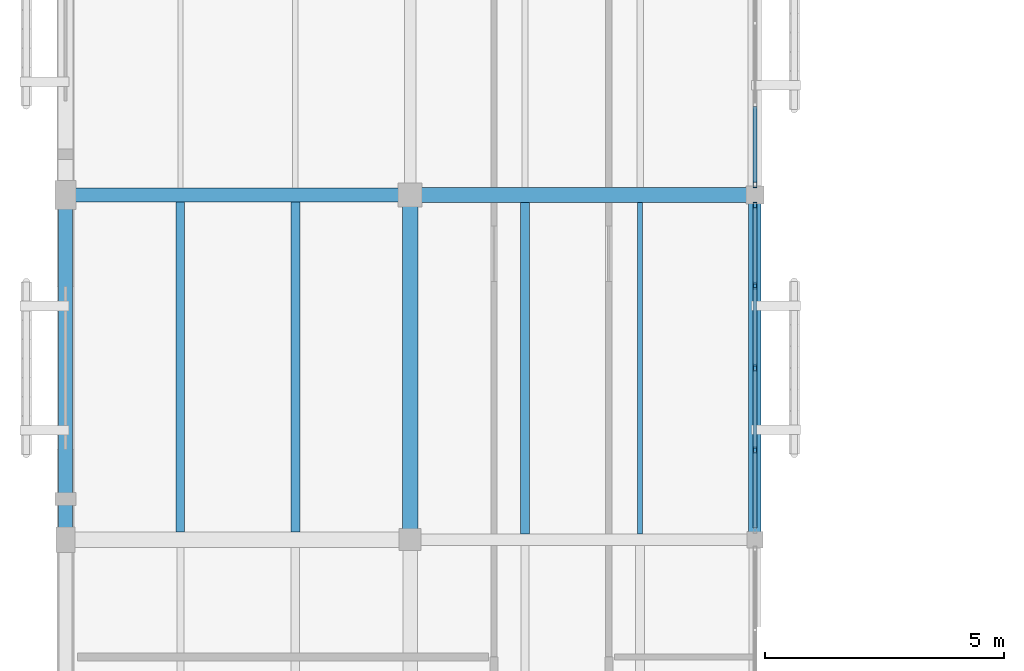
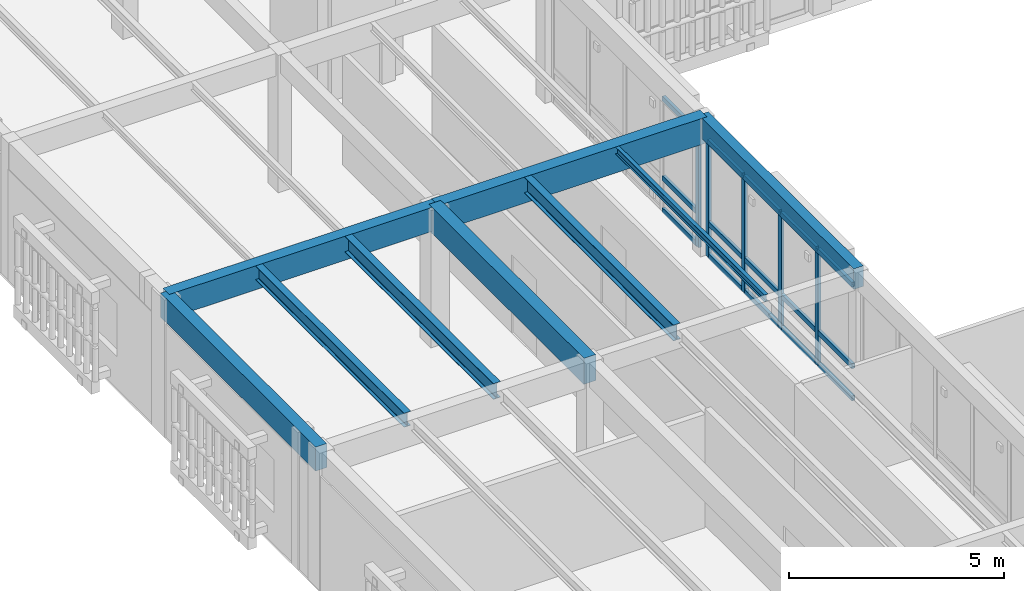
# One storey, part 31 of 217: 20 members, 9 beams, 2 elements without a shape of their own.
"""IFC4 building model written with IfcOpenShell, lengths in metres."""

from ifc_helpers import new_model, si_unit, direction, frame, origin, origin_2d, place, context, subcontext, project, spatial, rectangle, hollow_rectangle, i_section, extrude, material, layer, layer_set, material_profile, profile_set, type_object, element, aggregate, save


model = new_model("IFC4")

# Units and contexts
model_context = context("Model", 3, precision=1e-05, world=origin(), true_north=direction((0.0, 1.0)))
body_context = subcontext(model_context, "Body", "Model", "MODEL_VIEW")
ifc_project = project(units=[si_unit("LENGTHUNIT", "METRE"), si_unit("AREAUNIT", "SQUARE_METRE"), si_unit("VOLUMEUNIT", "CUBIC_METRE"), si_unit("PLANEANGLEUNIT", "RADIAN"), si_unit("MASSUNIT", "GRAM", prefix="KILO")], contexts=[model_context])

# Site, building, storey
site_placement = place(None, origin())
site = spatial("IfcSite", under=ifc_project, at=site_placement, CompositionType="ELEMENT")
building_placement = place(site_placement, origin())
building = spatial("IfcBuilding", under=site, at=building_placement, Name="Mazaris Harbour Polytechnic", CompositionType="ELEMENT")
storey_placement = place(building_placement, frame((0.0, 0.0, 9.60009765625)))
storey = spatial("IfcBuildingStorey", under=building, at=storey_placement, Name="L02", CompositionType="ELEMENT", Elevation=9.60009765625)

# Curtain wall, members
ifc_material_1 = material(Name="Anodised Bronze Aluminium and Low-E Glass", Category="aluminium")
ifc_layer = layer(ifc_material_1, 0.159912109375, Name="Anodised Bronze Aluminium and Low-E Glass")
ifc_layer_set = layer_set([ifc_layer], Name="Anodised Bronze Aluminium and Low-E Glass")
curtain_wall_type = type_object("IfcCurtainWallType", Name="Cloister Court Curtain Wall", PredefinedType="NOTDEFINED", material=ifc_layer_set)
curtain_wall_1_placement = place(storey_placement, origin())
curtain_wall_1 = element("IfcCurtainWall", 1, at=curtain_wall_1_placement, inside=storey, type_object=curtain_wall_type, Name="V4 L02 Curtain Wall 139", PredefinedType="NOTDEFINED")
ifc_material_2 = material(Name="Anodised Bronze Steel S355", Category="steel")
ifc_material_profile_1 = material_profile(ifc_material_2, hollow_rectangle(XDim=0.080078125, YDim=0.139892578125, WallThickness=0.00634765625, at=origin_2d()), Name="RHS 80x140x6.3")
ifc_profile_set_1 = profile_set([ifc_material_profile_1], Name="Anodised Bronze Steel S355")
member_type_1 = type_object("IfcMemberType", Name="Curtain Mullion RHS80x140", PredefinedType="MULLION", material=ifc_profile_set_1)
member_1_placement = place(storey_placement, frame((14.39990234375, 55.8759765625, 0.0), z_axis=(0.0, 0.0, 1.0), x_axis=(-1.0, 0.0, 0.0)))
member_1 = element("IfcMember", 2, at=member_1_placement, type_object=member_type_1, Name="CW-02 mullion 2", PredefinedType="MULLION", context=body_context, shape_type="SweptSolid", body=[
    extrude(hollow_rectangle(XDim=0.080078125, YDim=0.139892578125, WallThickness=0.00634765625, at=origin_2d()), origin(), (0.0, 0.0, 1.0), 3.2998046875),
])
member_2_placement = place(storey_placement, frame((14.39990234375, 57.590087890625, 0.0), z_axis=(0.0, 0.0, 1.0), x_axis=(-1.0, 0.0, 0.0)))
member_2 = element("IfcMember", 3, at=member_2_placement, type_object=member_type_1, Name="CW-02 mullion 3", PredefinedType="MULLION", context=body_context, shape_type="SweptSolid", body=[
    extrude(hollow_rectangle(XDim=0.080078125, YDim=0.139892578125, WallThickness=0.00634765625, at=origin_2d()), origin(), (0.0, 0.0, 1.0), 3.2998046875),
])
member_3_placement = place(storey_placement, frame((14.39990234375, 59.303955078125, 0.0), z_axis=(0.0, 0.0, 1.0), x_axis=(-1.0, 0.0, 0.0)))
member_3 = element("IfcMember", 4, at=member_3_placement, type_object=member_type_1, Name="CW-02 mullion 4", PredefinedType="MULLION", context=body_context, shape_type="SweptSolid", body=[
    extrude(hollow_rectangle(XDim=0.080078125, YDim=0.139892578125, WallThickness=0.00634765625, at=origin_2d()), origin(), (0.0, 0.0, 1.0), 3.2998046875),
])
member_4_placement = place(storey_placement, frame((14.39990234375, 60.97802734375, 0.0), z_axis=(0.0, 0.0, 1.0), x_axis=(-1.0, 0.0, 0.0)))
member_4 = element("IfcMember", 5, at=member_4_placement, type_object=member_type_1, Name="CW-02 mullion 5", PredefinedType="MULLION", context=body_context, shape_type="SweptSolid", body=[
    extrude(hollow_rectangle(XDim=0.080078125, YDim=0.139892578125, WallThickness=0.00634765625, at=origin_2d()), origin(), (0.0, 0.0, 1.0), 3.2998046875),
])

# Curtain wall, member
curtain_wall_2_placement = place(storey_placement, origin())
curtain_wall_2 = element("IfcCurtainWall", 6, at=curtain_wall_2_placement, inside=storey, type_object=curtain_wall_type, Name="V4 L02 Curtain Wall 140", PredefinedType="NOTDEFINED")
member_5_placement = place(storey_placement, frame((14.39990234375, 61.422119140625, 0.0), z_axis=(0.0, 0.0, 1.0), x_axis=(-1.0, 0.0, 0.0)))
member_5 = element("IfcMember", 7, at=member_5_placement, type_object=member_type_1, Name="CW-02 mullion 1", PredefinedType="MULLION", context=body_context, shape_type="SweptSolid", body=[
    extrude(hollow_rectangle(XDim=0.080078125, YDim=0.139892578125, WallThickness=0.00634765625, at=origin_2d()), origin(), (0.0, 0.0, 1.0), 3.239990234375),
])

# Member
ifc_material_3 = material(Name="Anodised Bronze Steel S355", Category="steel")
ifc_material_profile_2 = material_profile(ifc_material_3, hollow_rectangle(XDim=0.080078125, YDim=0.139892578125, WallThickness=0.00634765625, at=origin_2d()), Name="RHS 80x140x6.3")
ifc_profile_set_2 = profile_set([ifc_material_profile_2], Name="Anodised Bronze Steel S355")
member_type_2 = type_object("IfcMemberType", Name="Curtain Transom RHS80x140", PredefinedType="USERDEFINED", material=ifc_profile_set_2)
member_6_placement = place(storey_placement, frame((14.39990234375, 54.241943359375, 0.039794921875), z_axis=(0.0, 1.0, 0.0), x_axis=(-1.0, 0.0, 0.0)))
member_6 = element("IfcMember", 8, at=member_6_placement, type_object=member_type_2, Name="CW-02 transom 1.1", ObjectType="TRANSOM", PredefinedType="USERDEFINED", context=body_context, shape_type="SweptSolid", body=[
    extrude(hollow_rectangle(XDim=0.080078125, YDim=0.139892578125, WallThickness=0.00634765625, at=origin_2d()), origin(), (0.0, 0.0, 1.0), 1.593994140625),
])

member_7_placement = place(storey_placement, frame((14.39990234375, 54.241943359375, 0.949951171875), z_axis=(0.0, 1.0, 0.0), x_axis=(-1.0, 0.0, 0.0)))
member_7 = element("IfcMember", 9, at=member_7_placement, type_object=member_type_2, Name="CW-02 transom 1.2", ObjectType="TRANSOM", PredefinedType="USERDEFINED", context=body_context, shape_type="SweptSolid", body=[
    extrude(hollow_rectangle(XDim=0.080078125, YDim=0.139892578125, WallThickness=0.00634765625, at=origin_2d()), origin(), (0.0, 0.0, 1.0), 1.593994140625),
])

member_8_placement = place(storey_placement, frame((14.39990234375, 54.241943359375, 3.260009765625), z_axis=(0.0, 1.0, 0.0), x_axis=(-1.0, 0.0, 0.0)))
member_8 = element("IfcMember", 10, at=member_8_placement, type_object=member_type_2, Name="CW-02 transom 1.3", ObjectType="TRANSOM", PredefinedType="USERDEFINED", context=body_context, shape_type="SweptSolid", body=[
    extrude(hollow_rectangle(XDim=0.080078125, YDim=0.139892578125, WallThickness=0.00634765625, at=origin_2d()), origin(), (0.0, 0.0, 1.0), 1.593994140625),
])

member_9_placement = place(storey_placement, frame((14.39990234375, 55.916015625, 0.039794921875), z_axis=(0.0, 1.0, 0.0), x_axis=(-1.0, 0.0, 0.0)))
member_9 = element("IfcMember", 11, at=member_9_placement, type_object=member_type_2, Name="CW-02 transom 2.1", ObjectType="TRANSOM", PredefinedType="USERDEFINED", context=body_context, shape_type="SweptSolid", body=[
    extrude(hollow_rectangle(XDim=0.080078125, YDim=0.139892578125, WallThickness=0.00634765625, at=origin_2d()), origin(), (0.0, 0.0, 1.0), 1.634033203125),
])

member_10_placement = place(storey_placement, frame((14.39990234375, 55.916015625, 0.949951171875), z_axis=(0.0, 1.0, 0.0), x_axis=(-1.0, 0.0, 0.0)))
member_10 = element("IfcMember", 12, at=member_10_placement, type_object=member_type_2, Name="CW-02 transom 2.2", ObjectType="TRANSOM", PredefinedType="USERDEFINED", context=body_context, shape_type="SweptSolid", body=[
    extrude(hollow_rectangle(XDim=0.080078125, YDim=0.139892578125, WallThickness=0.00634765625, at=origin_2d()), origin(), (0.0, 0.0, 1.0), 1.634033203125),
])

member_11_placement = place(storey_placement, frame((14.39990234375, 55.916015625, 3.260009765625), z_axis=(0.0, 1.0, 0.0), x_axis=(-1.0, 0.0, 0.0)))
member_11 = element("IfcMember", 13, at=member_11_placement, type_object=member_type_2, Name="CW-02 transom 2.3", ObjectType="TRANSOM", PredefinedType="USERDEFINED", context=body_context, shape_type="SweptSolid", body=[
    extrude(hollow_rectangle(XDim=0.080078125, YDim=0.139892578125, WallThickness=0.00634765625, at=origin_2d()), origin(), (0.0, 0.0, 1.0), 1.634033203125),
])

member_12_placement = place(storey_placement, frame((14.39990234375, 57.6298828125, 0.039794921875), z_axis=(0.0, 1.0, 0.0), x_axis=(-1.0, 0.0, 0.0)))
member_12 = element("IfcMember", 14, at=member_12_placement, type_object=member_type_2, Name="CW-02 transom 3.1", ObjectType="TRANSOM", PredefinedType="USERDEFINED", context=body_context, shape_type="SweptSolid", body=[
    extrude(hollow_rectangle(XDim=0.080078125, YDim=0.139892578125, WallThickness=0.00634765625, at=origin_2d()), origin(), (0.0, 0.0, 1.0), 1.634033203125),
])

member_13_placement = place(storey_placement, frame((14.39990234375, 57.6298828125, 0.949951171875), z_axis=(0.0, 1.0, 0.0), x_axis=(-1.0, 0.0, 0.0)))
member_13 = element("IfcMember", 15, at=member_13_placement, type_object=member_type_2, Name="CW-02 transom 3.2", ObjectType="TRANSOM", PredefinedType="USERDEFINED", context=body_context, shape_type="SweptSolid", body=[
    extrude(hollow_rectangle(XDim=0.080078125, YDim=0.139892578125, WallThickness=0.00634765625, at=origin_2d()), origin(), (0.0, 0.0, 1.0), 1.634033203125),
])

member_14_placement = place(storey_placement, frame((14.39990234375, 57.6298828125, 3.260009765625), z_axis=(0.0, 1.0, 0.0), x_axis=(-1.0, 0.0, 0.0)))
member_14 = element("IfcMember", 16, at=member_14_placement, type_object=member_type_2, Name="CW-02 transom 3.3", ObjectType="TRANSOM", PredefinedType="USERDEFINED", context=body_context, shape_type="SweptSolid", body=[
    extrude(hollow_rectangle(XDim=0.080078125, YDim=0.139892578125, WallThickness=0.00634765625, at=origin_2d()), origin(), (0.0, 0.0, 1.0), 1.634033203125),
])

member_15_placement = place(storey_placement, frame((14.39990234375, 59.343994140625, 0.039794921875), z_axis=(0.0, 1.0, 0.0), x_axis=(-1.0, 0.0, 0.0)))
member_15 = element("IfcMember", 17, at=member_15_placement, type_object=member_type_2, Name="CW-02 transom 4.1", ObjectType="TRANSOM", PredefinedType="USERDEFINED", context=body_context, shape_type="SweptSolid", body=[
    extrude(hollow_rectangle(XDim=0.080078125, YDim=0.139892578125, WallThickness=0.00634765625, at=origin_2d()), origin(), (0.0, 0.0, 1.0), 1.593994140625),
])

member_16_placement = place(storey_placement, frame((14.39990234375, 59.343994140625, 0.949951171875), z_axis=(0.0, 1.0, 0.0), x_axis=(-1.0, 0.0, 0.0)))
member_16 = element("IfcMember", 18, at=member_16_placement, type_object=member_type_2, Name="CW-02 transom 4.2", ObjectType="TRANSOM", PredefinedType="USERDEFINED", context=body_context, shape_type="SweptSolid", body=[
    extrude(hollow_rectangle(XDim=0.080078125, YDim=0.139892578125, WallThickness=0.00634765625, at=origin_2d()), origin(), (0.0, 0.0, 1.0), 1.593994140625),
])

member_17_placement = place(storey_placement, frame((14.39990234375, 59.343994140625, 3.260009765625), z_axis=(0.0, 1.0, 0.0), x_axis=(-1.0, 0.0, 0.0)))
member_17 = element("IfcMember", 19, at=member_17_placement, type_object=member_type_2, Name="CW-02 transom 4.3", ObjectType="TRANSOM", PredefinedType="USERDEFINED", context=body_context, shape_type="SweptSolid", body=[
    extrude(hollow_rectangle(XDim=0.080078125, YDim=0.139892578125, WallThickness=0.00634765625, at=origin_2d()), origin(), (0.0, 0.0, 1.0), 1.593994140625),
])

aggregate(curtain_wall_1, [member_1, member_2, member_3, member_4, member_6, member_7, member_8, member_9, member_10, member_11, member_12, member_13, member_14, member_15, member_16, member_17])

member_18_placement = place(storey_placement, frame((14.39990234375, 61.4619140625, 0.039794921875), z_axis=(0.0, 1.0, 0.0), x_axis=(-1.0, 0.0, 0.0)))
member_18 = element("IfcMember", 20, at=member_18_placement, type_object=member_type_2, Name="CW-02 transom 1.1", ObjectType="TRANSOM", PredefinedType="USERDEFINED", context=body_context, shape_type="SweptSolid", body=[
    extrude(hollow_rectangle(XDim=0.080078125, YDim=0.139892578125, WallThickness=0.00634765625, at=origin_2d()), origin(), (0.0, 0.0, 1.0), 1.583984375),
])

member_19_placement = place(storey_placement, frame((14.39990234375, 61.4619140625, 0.949951171875), z_axis=(0.0, 1.0, 0.0), x_axis=(-1.0, 0.0, 0.0)))
member_19 = element("IfcMember", 21, at=member_19_placement, type_object=member_type_2, Name="CW-02 transom 1.2", ObjectType="TRANSOM", PredefinedType="USERDEFINED", context=body_context, shape_type="SweptSolid", body=[
    extrude(hollow_rectangle(XDim=0.080078125, YDim=0.139892578125, WallThickness=0.00634765625, at=origin_2d()), origin(), (0.0, 0.0, 1.0), 1.583984375),
])

member_20_placement = place(storey_placement, frame((14.39990234375, 61.4619140625, 3.199951171875), z_axis=(0.0, 1.0, 0.0), x_axis=(-1.0, 0.0, 0.0)))
member_20 = element("IfcMember", 22, at=member_20_placement, type_object=member_type_2, Name="CW-02 transom 1.3", ObjectType="TRANSOM", PredefinedType="USERDEFINED", context=body_context, shape_type="SweptSolid", body=[
    extrude(hollow_rectangle(XDim=0.080078125, YDim=0.139892578125, WallThickness=0.00634765625, at=origin_2d()), origin(), (0.0, 0.0, 1.0), 1.583984375),
])

aggregate(curtain_wall_2, [member_5, member_18, member_19, member_20])

# Beams
ifc_material_4 = material(Name="Glulam GL32h", Category="wood")
ifc_material_profile_3 = material_profile(ifc_material_4, rectangle(XDim=0.260009765625, YDim=0.580078125, at=origin_2d()), Name="RECT260x580")
ifc_profile_set_3 = profile_set([ifc_material_profile_3], Name="Glulam GL32h")
beam_type_1 = type_object("IfcBeamType", Name="Glulam Girder 260x580", PredefinedType="BEAM", material=ifc_profile_set_3)
beam_1_placement = place(storey_placement, frame((14.39990234375, 54.0, 3.599853515625), z_axis=(0.0, 1.0, 0.0), x_axis=(-1.0, 0.0, 0.0)))
element("IfcBeam", 23, at=beam_1_placement, inside=storey, type_object=beam_type_1, Name="V4 L02 Tie Girder 1996", PredefinedType="BEAM", context=body_context, shape_type="SweptSolid", body=[
    extrude(rectangle(XDim=0.260009765625, YDim=0.580078125, at=origin_2d()), origin(), (0.0, 0.0, 1.0), 7.199951171875),
])
ifc_material_5 = material(Name="Glulam GL32h", Category="wood")
ifc_material_profile_4 = material_profile(ifc_material_5, rectangle(XDim=0.300048828125, YDim=0.679931640625, at=origin_2d()), Name="RECT300x680")
ifc_profile_set_4 = profile_set([ifc_material_profile_4], Name="Glulam GL32h")
beam_type_2 = type_object("IfcBeamType", Name="Glulam Girder 300x680", PredefinedType="BEAM", material=ifc_profile_set_4)
beam_2_placement = place(storey_placement, frame((0.0, 61.199951171875, 3.5498046875), z_axis=(1.0, 0.0, 0.0), x_axis=(0.0, 1.0, 0.0)))
element("IfcBeam", 24, at=beam_2_placement, inside=storey, type_object=beam_type_2, Name="V4 L02 Girder 1933", PredefinedType="BEAM", context=body_context, shape_type="SweptSolid", body=[
    extrude(rectangle(XDim=0.300048828125, YDim=0.679931640625, at=origin_2d()), origin(), (0.0, 0.0, 1.0), 7.199951171875),
])
ifc_material_6 = material(Name="Glulam GL32h", Category="wood")
ifc_material_profile_5 = material_profile(ifc_material_6, rectangle(XDim=0.300048828125, YDim=0.679931640625, at=origin_2d()), Name="RECT300x680")
ifc_profile_set_5 = profile_set([ifc_material_profile_5], Name="Glulam GL32h")
beam_type_3 = type_object("IfcBeamType", Name="Glulam Girder 300x680 Exterior", PredefinedType="BEAM", material=ifc_profile_set_5)
beam_3_placement = place(storey_placement, frame((0.0, 54.0, 3.5498046875), z_axis=(0.0, 1.0, 0.0), x_axis=(-1.0, 0.0, 0.0)))
element("IfcBeam", 25, at=beam_3_placement, inside=storey, type_object=beam_type_3, Name="V4 L02 Tie Girder 1973", PredefinedType="BEAM", context=body_context, shape_type="SweptSolid", body=[
    extrude(rectangle(XDim=0.300048828125, YDim=0.679931640625, at=origin_2d()), origin(), (0.0, 0.0, 1.0), 7.199951171875),
])
ifc_material_7 = material(Name="Glulam GL32h", Category="wood")
ifc_material_profile_6 = material_profile(ifc_material_7, rectangle(XDim=0.320068359375, YDim=0.739990234375, at=origin_2d()), Name="RECT320x740")
ifc_profile_set_6 = profile_set([ifc_material_profile_6], Name="Glulam GL32h")
beam_type_4 = type_object("IfcBeamType", Name="Glulam Girder 320x740", PredefinedType="BEAM", material=ifc_profile_set_6)
for number, where, z_axis, x_axis, name in (
    (26, (7.199951171875, 61.199951171875, 3.52001953125), (1.0, 0.0, 0.0), (0.0, 1.0, 0.0), "V4 L02 Girder 1934"),
    (27, (7.199951171875, 54.0, 3.52001953125), (0.0, 1.0, 0.0), (-1.0, 0.0, 0.0), "V4 L02 Tie Girder 1984"),
):
    element("IfcBeam", number, at=place(storey_placement, frame(where, z_axis=z_axis, x_axis=x_axis)), inside=storey, type_object=beam_type_4, Name=name, PredefinedType="BEAM", context=body_context, shape_type="SweptSolid", body=[
        extrude(rectangle(XDim=0.320068359375, YDim=0.739990234375, at=origin_2d()), origin(), (0.0, 0.0, 1.0), 7.199951171875),
    ])
ifc_material_8 = material(Name="Steel S355", Category="steel")
ifc_material_profile_7 = material_profile(ifc_material_8, i_section(OverallWidth=0.10009765625, OverallDepth=0.199951171875, WebThickness=0.005615234375, FlangeThickness=0.008544921875, FilletRadius=0.011962890625, at=origin_2d()), Name="IPE 200")
ifc_profile_set_7 = profile_set([ifc_material_profile_7], Name="Steel S355")
beam_type_5 = type_object("IfcBeamType", Name="Steel Joist IPE200", PredefinedType="JOIST", material=ifc_profile_set_7)
beam_4_placement = place(storey_placement, frame((12.0, 54.1201171875, 3.789794921875), z_axis=(0.0, 1.0, 0.0), x_axis=(-1.0, 0.0, 0.0)))
element("IfcBeam", 28, at=beam_4_placement, inside=storey, type_object=beam_type_5, Name="V4 L02 Floor Joist 2079", PredefinedType="JOIST", context=body_context, shape_type="SweptSolid", body=[
    extrude(i_section(OverallWidth=0.10009765625, OverallDepth=0.199951171875, WebThickness=0.005615234375, FlangeThickness=0.008544921875, FilletRadius=0.011962890625, at=origin_2d()), origin(), (0.0, 0.0, 1.0), 6.919921875),
])
ifc_material_9 = material(Name="Steel S355", Category="steel")
ifc_material_profile_8 = material_profile(ifc_material_9, i_section(OverallWidth=0.179931640625, OverallDepth=0.39990234375, WebThickness=0.008544921875, FlangeThickness=0.013427734375, FilletRadius=0.02099609375, at=origin_2d()), Name="IPE 400")
ifc_profile_set_8 = profile_set([ifc_material_profile_8], Name="Steel S355")
beam_type_6 = type_object("IfcBeamType", Name="Steel Joist IPE400", PredefinedType="JOIST", material=ifc_profile_set_8)
beam_5_placement = place(storey_placement, frame((2.39990234375, 54.159912109375, 3.68994140625), z_axis=(0.0, 1.0, 0.0), x_axis=(-1.0, 0.0, 0.0)))
element("IfcBeam", 29, at=beam_5_placement, inside=storey, type_object=beam_type_6, Name="V4 L02 Floor Joist 2056", PredefinedType="JOIST", context=body_context, shape_type="SweptSolid", body=[
    extrude(i_section(OverallWidth=0.179931640625, OverallDepth=0.39990234375, WebThickness=0.008544921875, FlangeThickness=0.013427734375, FilletRadius=0.02099609375, at=origin_2d()), origin(), (0.0, 0.0, 1.0), 6.89013671875),
])
ifc_material_10 = material(Name="Steel S355", Category="steel")
ifc_material_profile_9 = material_profile(ifc_material_10, i_section(OverallWidth=0.18994140625, OverallDepth=0.449951171875, WebThickness=0.009521484375, FlangeThickness=0.0146484375, FilletRadius=0.02099609375, at=origin_2d()), Name="IPE 450")
ifc_profile_set_9 = profile_set([ifc_material_profile_9], Name="Steel S355")
beam_type_7 = type_object("IfcBeamType", Name="Steel Joist IPE450", PredefinedType="JOIST", material=ifc_profile_set_9)
beam_6_placement = place(storey_placement, frame((4.800048828125, 54.159912109375, 3.664794921875), z_axis=(0.0, 1.0, 0.0), x_axis=(-1.0, 0.0, 0.0)))
element("IfcBeam", 30, at=beam_6_placement, inside=storey, type_object=beam_type_7, Name="V4 L02 Floor Joist 2057", PredefinedType="JOIST", context=body_context, shape_type="SweptSolid", body=[
    extrude(i_section(OverallWidth=0.18994140625, OverallDepth=0.449951171875, WebThickness=0.009521484375, FlangeThickness=0.0146484375, FilletRadius=0.02099609375, at=origin_2d()), origin(), (0.0, 0.0, 1.0), 6.89013671875),
])
beam_7_placement = place(storey_placement, frame((9.60009765625, 54.1201171875, 3.664794921875), z_axis=(0.0, 1.0, 0.0), x_axis=(-1.0, 0.0, 0.0)))
element("IfcBeam", 31, at=beam_7_placement, inside=storey, type_object=beam_type_7, Name="V4 L02 Floor Joist 2078", PredefinedType="JOIST", context=body_context, shape_type="SweptSolid", body=[
    extrude(i_section(OverallWidth=0.18994140625, OverallDepth=0.449951171875, WebThickness=0.009521484375, FlangeThickness=0.0146484375, FilletRadius=0.02099609375, at=origin_2d()), origin(), (0.0, 0.0, 1.0), 6.919921875),
])

save(model, "model.ifc")
